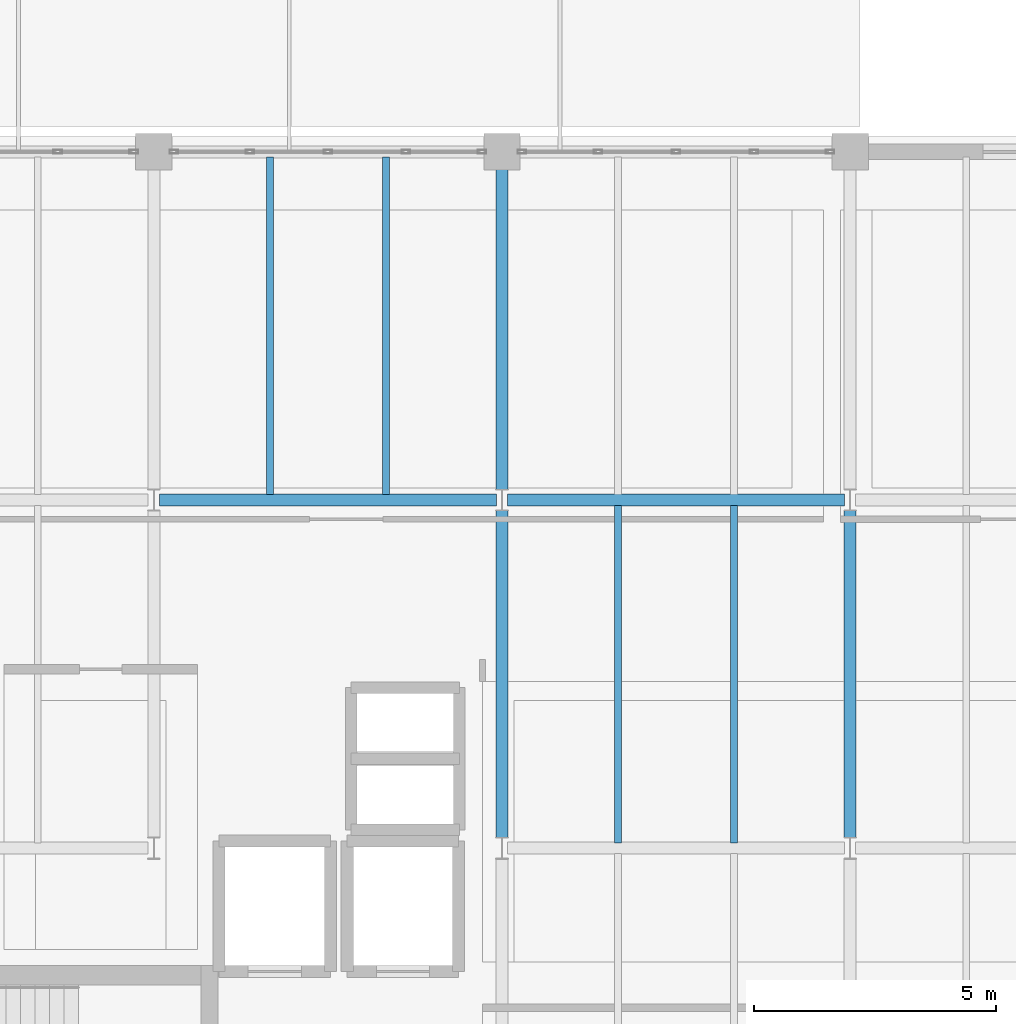
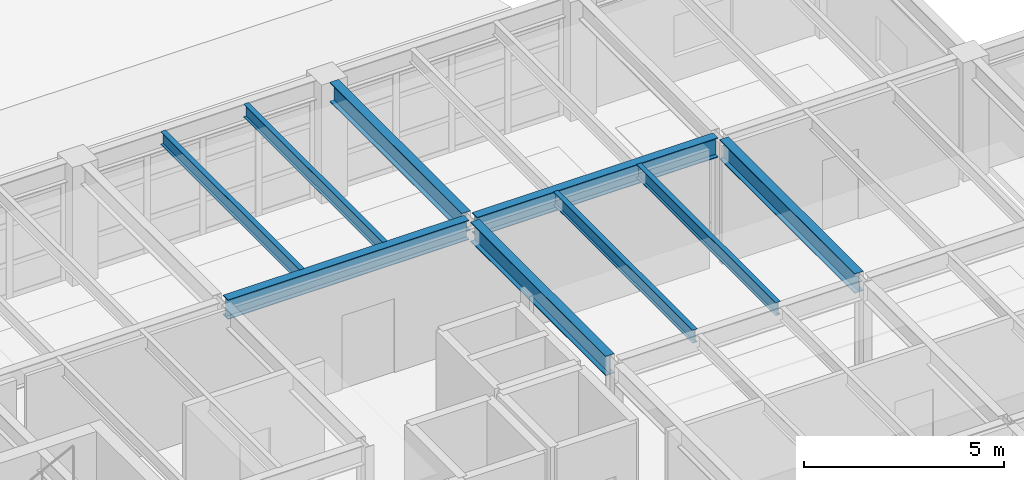
# One storey, part 11 of 48: 9 beams.
"""IFC4 building model written with IfcOpenShell, lengths in metres."""

from ifc_helpers import new_model, si_unit, direction, frame, origin, origin_2d, place, context, subcontext, project, spatial, i_section, extrude, material, material_profile, profile_set, type_object, element, save


model = new_model("IFC4")

# Units and contexts
model_context = context("Model", 3, precision=1e-05, world=origin(), true_north=direction((0.0, 1.0)))
body_context = subcontext(model_context, "Body", "Model", "MODEL_VIEW")
ifc_project = project(units=[si_unit("LENGTHUNIT", "METRE"), si_unit("AREAUNIT", "SQUARE_METRE"), si_unit("VOLUMEUNIT", "CUBIC_METRE"), si_unit("PLANEANGLEUNIT", "RADIAN"), si_unit("MASSUNIT", "GRAM", prefix="KILO")], contexts=[model_context])

# Site, building, storey
site_placement = place(None, origin())
site = spatial("IfcSite", under=ifc_project, at=site_placement, CompositionType="ELEMENT")
building_placement = place(site_placement, origin())
building = spatial("IfcBuilding", under=site, at=building_placement, Name="Kandorven Conservatory and Botanical Research Centre", CompositionType="ELEMENT")
storey_placement = place(building_placement, frame((0.0, 0.0, 13.199951171875)))
storey = spatial("IfcBuildingStorey", under=building, at=storey_placement, Name="L03", CompositionType="ELEMENT", Elevation=13.199951171875)

# Beams
ifc_material_1 = material(Name="Steel S355 (IS 2062 E350)", Category="steel")
ifc_material_profile_1 = material_profile(ifc_material_1, i_section(OverallWidth=0.25, OverallDepth=0.60009765625, WebThickness=0.01171875, FlangeThickness=0.023681640625, at=origin_2d()))
ifc_profile_set_1 = profile_set([ifc_material_profile_1], Name="Steel S355 (IS 2062 E350)")
beam_type_1 = type_object("IfcBeamType", Name="Beam_FG-01", PredefinedType="USERDEFINED", material=ifc_profile_set_1)
beam_1_placement = place(storey_placement, frame((20.514892578125, 27.60009765625, 3.3349609375), z_axis=(1.0, 0.0, 0.0), x_axis=(0.0, 1.0, 0.0)))
element("IfcBeam", 1, at=beam_1_placement, inside=storey, type_object=beam_type_1, Name="Primary girder FG-01 TWR L03", ObjectType="GIRDER", PredefinedType="USERDEFINED", context=body_context, shape_type="SweptSolid", body=[
    extrude(i_section(OverallWidth=0.25, OverallDepth=0.60009765625, WebThickness=0.01171875, FlangeThickness=0.023681640625, at=origin_2d()), origin(), (0.0, 0.0, 1.0), 6.97021484375),
])
beam_2_placement = place(storey_placement, frame((27.715087890625, 27.60009765625, 3.3349609375), z_axis=(1.0, 0.0, 0.0), x_axis=(0.0, 1.0, 0.0)))
element("IfcBeam", 2, at=beam_2_placement, inside=storey, type_object=beam_type_1, Name="Primary girder FG-01 TWR L03", ObjectType="GIRDER", PredefinedType="USERDEFINED", context=body_context, shape_type="SweptSolid", body=[
    extrude(i_section(OverallWidth=0.25, OverallDepth=0.60009765625, WebThickness=0.01171875, FlangeThickness=0.023681640625, at=origin_2d()), origin(), (0.0, 0.0, 1.0), 6.969970703125),
])
beam_3_placement = place(storey_placement, frame((27.60009765625, 20.614990234375, 3.3349609375), z_axis=(0.0, 1.0, 0.0), x_axis=(-1.0, 0.0, 0.0)))
element("IfcBeam", 3, at=beam_3_placement, inside=storey, type_object=beam_type_1, Name="Primary girder FG-01 TWR L03", ObjectType="GIRDER", PredefinedType="USERDEFINED", context=body_context, shape_type="SweptSolid", body=[
    extrude(i_section(OverallWidth=0.25, OverallDepth=0.60009765625, WebThickness=0.01171875, FlangeThickness=0.023681640625, at=origin_2d()), origin(), (0.0, 0.0, 1.0), 6.77001953125),
])
beam_4_placement = place(storey_placement, frame((27.60009765625, 27.81494140625, 3.3349609375), z_axis=(0.0, 1.0, 0.0), x_axis=(-1.0, 0.0, 0.0)))
element("IfcBeam", 4, at=beam_4_placement, inside=storey, type_object=beam_type_1, Name="Primary girder FG-01 TWR L03", ObjectType="GIRDER", PredefinedType="USERDEFINED", context=body_context, shape_type="SweptSolid", body=[
    extrude(i_section(OverallWidth=0.25, OverallDepth=0.60009765625, WebThickness=0.01171875, FlangeThickness=0.023681640625, at=origin_2d()), origin(), (0.0, 0.0, 1.0), 6.6201171875),
])
beam_5_placement = place(storey_placement, frame((34.800048828125, 20.614990234375, 3.3349609375), z_axis=(0.0, 1.0, 0.0), x_axis=(-1.0, 0.0, 0.0)))
element("IfcBeam", 5, at=beam_5_placement, inside=storey, type_object=beam_type_1, Name="Primary girder FG-01 TWR L03", ObjectType="GIRDER", PredefinedType="USERDEFINED", context=body_context, shape_type="SweptSolid", body=[
    extrude(i_section(OverallWidth=0.25, OverallDepth=0.60009765625, WebThickness=0.01171875, FlangeThickness=0.023681640625, at=origin_2d()), origin(), (0.0, 0.0, 1.0), 6.77001953125),
])
ifc_material_2 = material(Name="Steel S355 (IS 2062 E350)", Category="steel")
ifc_material_profile_2 = material_profile(ifc_material_2, i_section(OverallWidth=0.139892578125, OverallDepth=0.39990234375, WebThickness=0.0087890625, FlangeThickness=0.01611328125, at=origin_2d()))
ifc_profile_set_2 = profile_set([ifc_material_profile_2], Name="Steel S355 (IS 2062 E350)")
beam_type_2 = type_object("IfcBeamType", Name="Beam_SB-05", PredefinedType="BEAM", material=ifc_profile_set_2)
for number, where, z_axis, x_axis, name in (
    (6, (22.800048828125, 27.7099609375, 3.43505859375), (0.0, 1.0, 0.0), (-1.0, 0.0, 0.0), "Composite secondary beam SB-05 TWR L03"),
    (7, (25.199951171875, 27.7099609375, 3.43505859375), (0.0, 1.0, 0.0), (-1.0, 0.0, 0.0), "Composite secondary beam SB-05 TWR L03"),
    (8, (30.0, 20.510009765625, 3.43505859375), (0.0, 1.0, 0.0), (-1.0, 0.0, 0.0), "Composite secondary beam SB-05 TWR L03"),
    (9, (32.39990234375, 20.510009765625, 3.43505859375), (0.0, 1.0, 0.0), (-1.0, 0.0, 0.0), "Composite secondary beam SB-05 TWR L03"),
):
    element("IfcBeam", number, at=place(storey_placement, frame(where, z_axis=z_axis, x_axis=x_axis)), inside=storey, type_object=beam_type_2, Name=name, PredefinedType="BEAM", context=body_context, shape_type="SweptSolid", body=[
        extrude(i_section(OverallWidth=0.139892578125, OverallDepth=0.39990234375, WebThickness=0.0087890625, FlangeThickness=0.01611328125, at=origin_2d()), origin(), (0.0, 0.0, 1.0), 6.97998046875),
    ])

save(model, "model.ifc")
